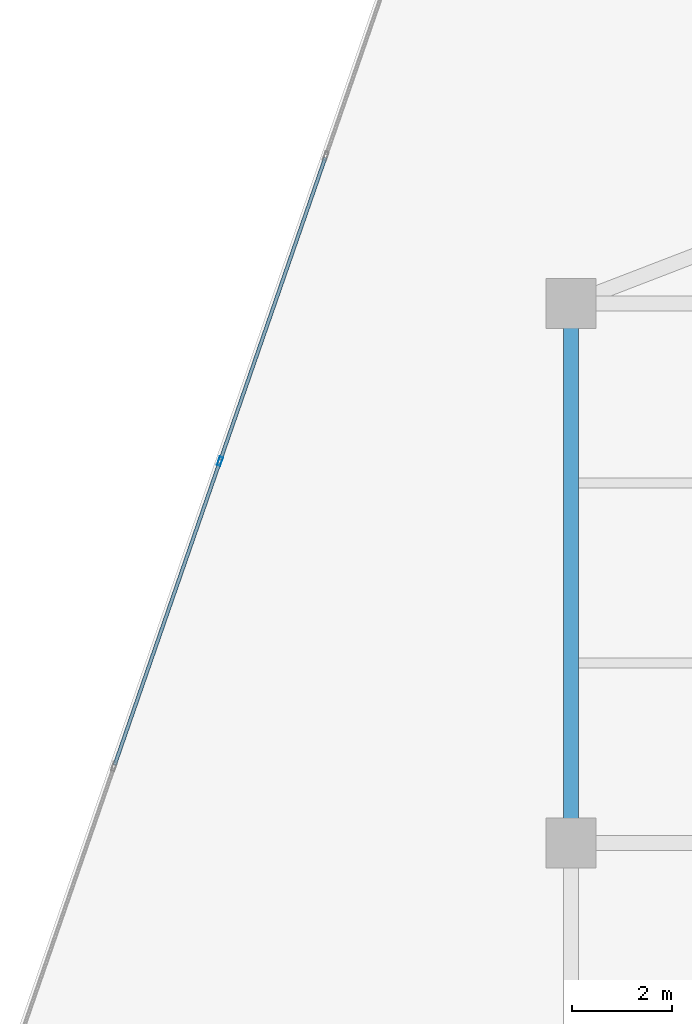
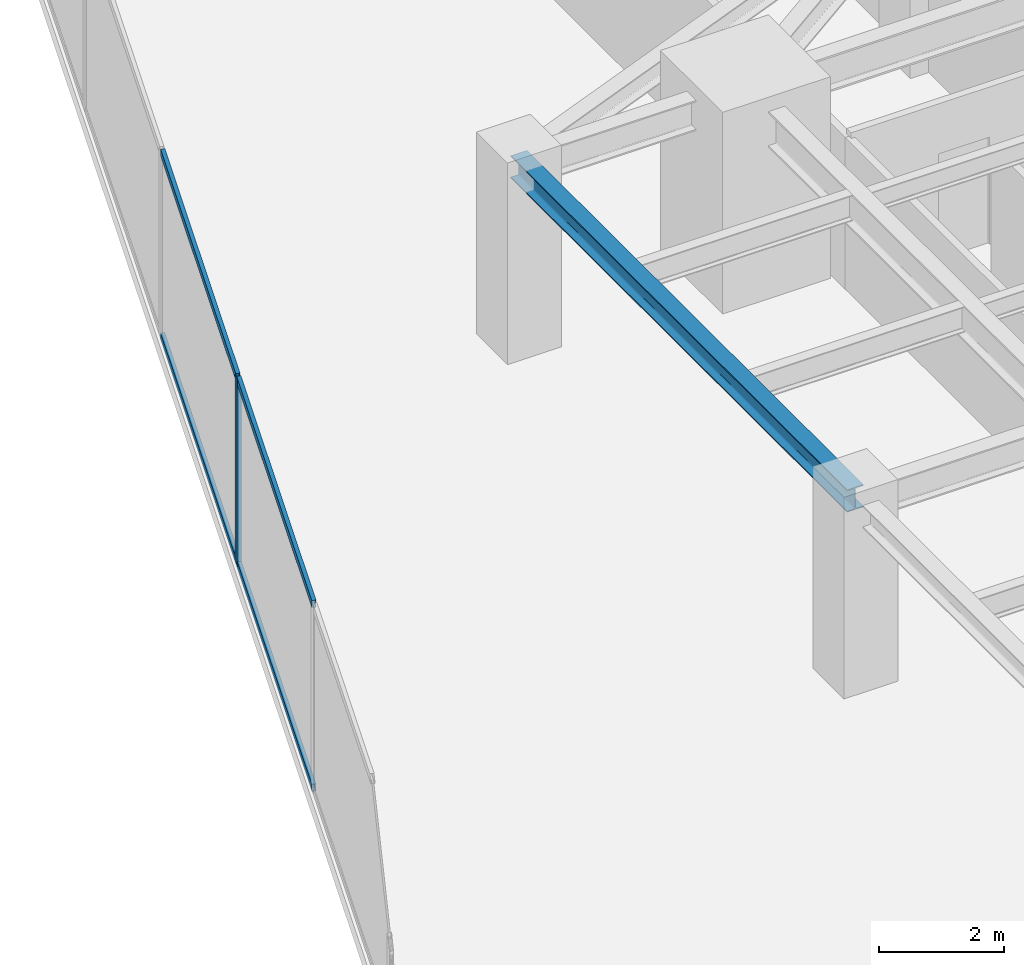
# One storey, part 14 of 27: 5 members, 1 beam, 1 element without a shape of its own.
"""IFC4 building model written with IfcOpenShell, lengths in metres."""

from ifc_helpers import new_model, si_unit, direction, frame, origin, origin_2d, place, context, subcontext, project, spatial, hollow_rectangle, i_section, extrude, source, transform, mapped, material, material_profile, profile_set, type_object, type_shapes, element, aggregate, save


model = new_model("IFC4")

# Units and contexts
model_context = context("Model", 3, precision=1e-05, world=origin(), true_north=direction((0.0, 1.0)))
body_context = subcontext(model_context, "Body", "Model", "MODEL_VIEW")
ifc_project = project(units=[si_unit("LENGTHUNIT", "METRE"), si_unit("AREAUNIT", "SQUARE_METRE"), si_unit("VOLUMEUNIT", "CUBIC_METRE"), si_unit("PLANEANGLEUNIT", "RADIAN"), si_unit("MASSUNIT", "GRAM", prefix="KILO")], contexts=[model_context])

# Site, building, storey
site_placement = place(None, origin())
site = spatial("IfcSite", under=ifc_project, at=site_placement, CompositionType="ELEMENT")
building_placement = place(site_placement, origin())
building = spatial("IfcBuilding", under=site, at=building_placement, Name="Krantzveldt Concourse Tower", CompositionType="ELEMENT")
storey_placement = place(building_placement, frame((0.0, 0.0, 125.60009765625)))
storey = spatial("IfcBuildingStorey", under=building, at=storey_placement, Name="L30", CompositionType="ELEMENT", Elevation=125.60009765625)

# Beam
ifc_material_1 = material(Name="Steel S355JR", Category="steel")
ifc_material_profile_1 = material_profile(ifc_material_1, i_section(OverallWidth=0.300048828125, OverallDepth=0.43994140625, WebThickness=0.011474609375, FlangeThickness=0.02099609375, FilletRadius=0.027099609375, at=origin_2d()), Name="Steel S355JR", Category="steel")
ifc_profile_set_1 = profile_set([ifc_material_profile_1], Name="Steel S355JR - HEA 450")
beam_type = type_object("IfcBeamType", Name="BM-SP-HEA450", PredefinedType="SPANDREL", material=ifc_profile_set_1)
shared_shape_1 = source(origin(), body_context, "Body", "SweptSolid", [
    extrude(i_section(OverallWidth=0.300048828125, OverallDepth=0.43994140625, WebThickness=0.011474609375, FlangeThickness=0.02099609375, FilletRadius=0.027099609375, at=origin_2d()), origin(), (0.0, 0.0, 1.0), 10.800048828125),
])
type_shapes(beam_type, [shared_shape_1])
beam_placement = place(storey_placement, frame((21.0, 26.699951171875, 3.449951171875), z_axis=(0.0, 1.0, 0.0), x_axis=(-1.0, 0.0, 0.0)))
element("IfcBeam", 1, at=beam_placement, inside=storey, type_object=beam_type, Name="L30 Tower Girder SP-R02", PredefinedType="SPANDREL", context=body_context, shape_type="MappedRepresentation", body=[
    mapped(shared_shape_1, transform((0.0, 0.0, 0.0), x_axis=(1.0, 0.0, 0.0), y_axis=(0.0, 1.0, 0.0), z_axis=(0.0, 0.0, 1.0), scale=1.0)),
])

# Curtain wall, members
ifc_material_2 = material(Name="Anodised aluminium 6063-T6", Category="aluminium")
curtain_wall_type = type_object("IfcCurtainWallType", Name="CW2", PredefinedType="USERDEFINED", material=ifc_material_2)
curtain_wall_placement = place(storey_placement, origin())
curtain_wall = element("IfcCurtainWall", 2, at=curtain_wall_placement, inside=storey, type_object=curtain_wall_type, Name="CW-L30-F01", ObjectType="UNITISED CURTAIN WALL", PredefinedType="USERDEFINED")
ifc_material_profile_2 = material_profile(ifc_material_2, hollow_rectangle(XDim=0.070068359375, YDim=0.179931640625, WallThickness=0.0048828125, at=origin_2d()), Name="Anodised aluminium 6063-T6", Category="aluminium")
ifc_profile_set_2 = profile_set([ifc_material_profile_2], Name="Anodised aluminium 6063-T6 - ALU-MULL 180x70x5")
member_type_1 = type_object("IfcMemberType", Name="CW-MUL-180", PredefinedType="MULLION", material=ifc_profile_set_2)
shared_shape_2 = source(origin(), body_context, "Body", "SweptSolid", [
    extrude(hollow_rectangle(XDim=0.070068359375, YDim=0.179931640625, WallThickness=0.0048828125, at=origin_2d()), origin(), (0.0, 0.0, 1.0), 3.669921875),
])
type_shapes(member_type_1, [shared_shape_2])
member_1_placement = place(storey_placement, frame((13.9765625, 34.337158203125, 0.0), z_axis=(0.0, 0.0, 1.0), x_axis=(0.944806041446, -0.32763019404, 0.0)))
member_1 = element("IfcMember", 3, at=member_1_placement, type_object=member_type_1, Name="CW-Z12 mullion 4", PredefinedType="MULLION", context=body_context, shape_type="MappedRepresentation", body=[
    mapped(shared_shape_2, transform((0.0, 0.0, 0.0), x_axis=(1.0, 0.0, 0.0), y_axis=(0.0, 1.0, 0.0), z_axis=(0.0, 0.0, 1.0), scale=1.0)),
])
ifc_material_profile_3 = material_profile(ifc_material_2, hollow_rectangle(XDim=0.070068359375, YDim=0.139892578125, WallThickness=0.0048828125, at=origin_2d()), Name="Anodised aluminium 6063-T6", Category="aluminium")
ifc_profile_set_3 = profile_set([ifc_material_profile_3], Name="Anodised aluminium 6063-T6 - ALU-TRAN 140x70x5")
member_type_2 = type_object("IfcMemberType", Name="CW-TRN-150", PredefinedType="USERDEFINED", material=ifc_profile_set_3)
shared_shape_3 = source(origin(), body_context, "Body", "SweptSolid", [
    extrude(hollow_rectangle(XDim=0.070068359375, YDim=0.139892578125, WallThickness=0.0048828125, at=origin_2d()), origin(), (0.0, 0.0, 1.0), 6.396728515625),
])
member_2_placement = place(storey_placement, frame((16.083740234375, 40.413818359375, 0.034912109375), z_axis=(-0.327620443666, -0.944809422525, 0.0), x_axis=(0.944809422525, -0.327620443666, 0.0)))
member_2 = element("IfcMember", 4, at=member_2_placement, type_object=member_type_2, Name="CW-Z12 transom 3.1", ObjectType="TRANSOM", PredefinedType="USERDEFINED", context=body_context, shape_type="MappedRepresentation", body=[
    mapped(shared_shape_3, transform((0.0, 0.0, 0.0), x_axis=(1.0, 0.0, 0.0), y_axis=(0.0, 1.0, 0.0), z_axis=(0.0, 0.0, 1.0), scale=1.0)),
])
member_3_placement = place(storey_placement, frame((16.083740234375, 40.413818359375, 3.635009765625), z_axis=(-0.327620443666, -0.944809422525, 0.0), x_axis=(0.944809422525, -0.327620443666, 0.0)))
member_3 = element("IfcMember", 5, at=member_3_placement, type_object=member_type_2, Name="CW-Z12 transom 3.2", ObjectType="TRANSOM", PredefinedType="USERDEFINED", context=body_context, shape_type="MappedRepresentation", body=[
    mapped(shared_shape_3, transform((0.0, 0.0, 0.0), x_axis=(1.0, 0.0, 0.0), y_axis=(0.0, 1.0, 0.0), z_axis=(0.0, 0.0, 1.0), scale=1.0)),
])
shared_shape_4 = source(origin(), body_context, "Body", "SweptSolid", [
    extrude(hollow_rectangle(XDim=0.070068359375, YDim=0.139892578125, WallThickness=0.0048828125, at=origin_2d()), origin(), (0.0, 0.0, 1.0), 6.396484375),
])
type_shapes(member_type_2, [shared_shape_3, shared_shape_4])
member_4_placement = place(storey_placement, frame((13.965087890625, 34.303955078125, 0.034912109375), z_axis=(-0.327632258054, -0.944805325706, 0.0), x_axis=(0.944805325706, -0.327632258054, 0.0)))
member_4 = element("IfcMember", 6, at=member_4_placement, type_object=member_type_2, Name="CW-Z12 transom 4.1", ObjectType="TRANSOM", PredefinedType="USERDEFINED", context=body_context, shape_type="MappedRepresentation", body=[
    mapped(shared_shape_4, transform((0.0, 0.0, 0.0), x_axis=(1.0, 0.0, 0.0), y_axis=(0.0, 1.0, 0.0), z_axis=(0.0, 0.0, 1.0), scale=1.0)),
])
member_5_placement = place(storey_placement, frame((13.965087890625, 34.303955078125, 3.635009765625), z_axis=(-0.327632258054, -0.944805325706, 0.0), x_axis=(0.944805325706, -0.327632258054, 0.0)))
member_5 = element("IfcMember", 7, at=member_5_placement, type_object=member_type_2, Name="CW-Z12 transom 4.2", ObjectType="TRANSOM", PredefinedType="USERDEFINED", context=body_context, shape_type="MappedRepresentation", body=[
    mapped(shared_shape_4, transform((0.0, 0.0, 0.0), x_axis=(1.0, 0.0, 0.0), y_axis=(0.0, 1.0, 0.0), z_axis=(0.0, 0.0, 1.0), scale=1.0)),
])
aggregate(curtain_wall, [member_1, member_2, member_3, member_4, member_5])

save(model, "model.ifc")
